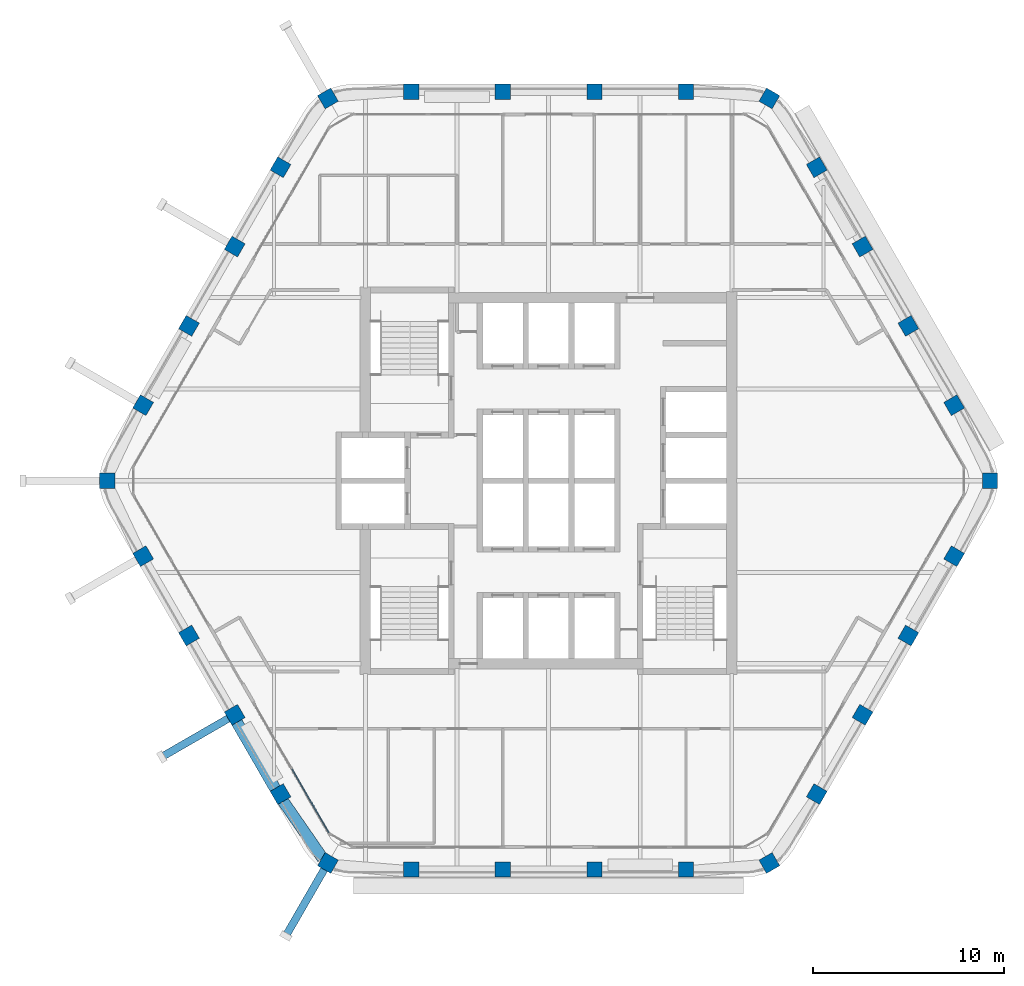
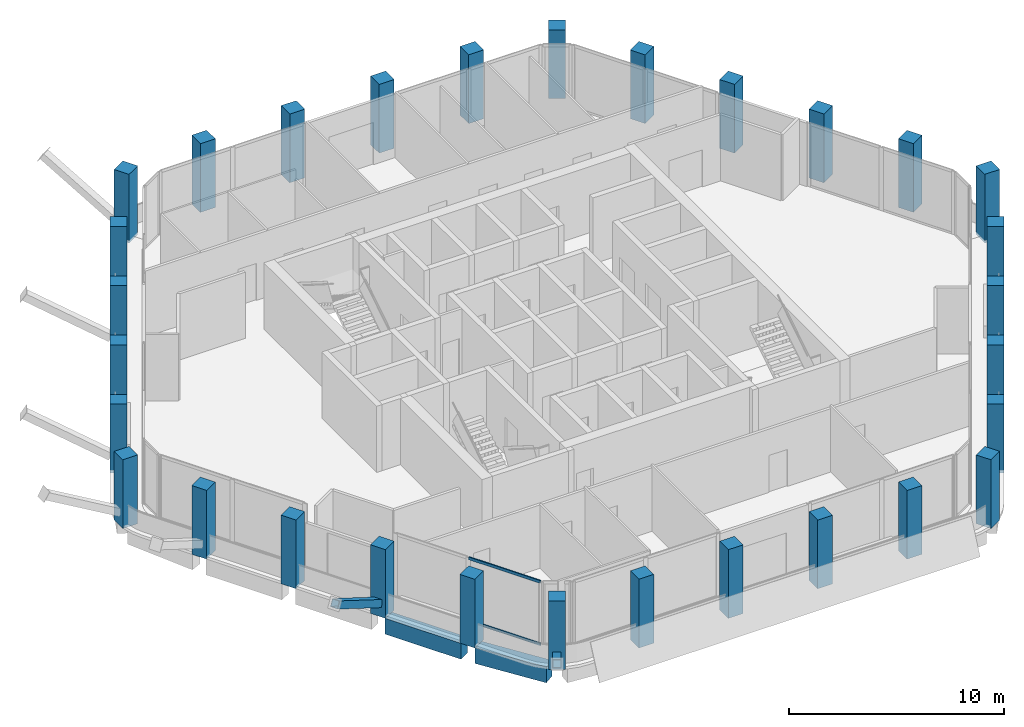
# One storey, part 1 of 14: 30 columns, 4 members, 2 beams, 1 element without a shape of its own.
"""IFC4 building model written with IfcOpenShell, lengths in metres."""

from ifc_helpers import new_model, si_unit, direction, frame, origin, origin_2d, place, context, subcontext, project, spatial, rectangle, hollow_rectangle, extrude, material, material_profile, profile_set, type_object, element, aggregate, save


model = new_model("IFC4")

# Units and contexts
model_context = context("Model", 3, precision=1e-05, world=origin(), true_north=direction((0.0, 1.0)))
body_context = subcontext(model_context, "Body", "Model", "MODEL_VIEW")
ifc_project = project(units=[si_unit("LENGTHUNIT", "METRE"), si_unit("AREAUNIT", "SQUARE_METRE"), si_unit("VOLUMEUNIT", "CUBIC_METRE"), si_unit("PLANEANGLEUNIT", "RADIAN"), si_unit("MASSUNIT", "GRAM", prefix="KILO")], contexts=[model_context])

# Site, building, storey
site_placement = place(None, origin())
site = spatial("IfcSite", under=ifc_project, at=site_placement, CompositionType="ELEMENT")
building_placement = place(site_placement, origin())
building = spatial("IfcBuilding", under=site, at=building_placement, Name="Kolab Exchange Tower", CompositionType="ELEMENT")
storey_placement = place(building_placement, frame((0.0, 0.0, 234.5)))
storey = spatial("IfcBuildingStorey", under=building, at=storey_placement, Name="L51", CompositionType="ELEMENT", Elevation=234.5)

# Columns
ifc_material_1 = material(Name="Concrete C50/60", Category="concrete")
ifc_material_profile_1 = material_profile(ifc_material_1, rectangle(XDim=0.800048828125, YDim=0.800048828125, at=origin_2d()), Name="RC800")
ifc_profile_set_1 = profile_set([ifc_material_profile_1], Name="Concrete C50/60")
column_type = type_object("IfcColumnType", Name="PERIMETER COLUMN 800 SQ C50/60", PredefinedType="COLUMN", material=ifc_profile_set_1)
for number, where, z_axis, x_axis, name in (
    (1, (-11.56787109375, 20.036376953125, -0.14990234375), (0.0, 0.0, 1.0), (0.866025403784, 0.5, 0.0), "col/L51/F1-01"),
    (2, (-7.199951171875, 20.384521484375, -0.14990234375), (0.0, 0.0, 1.0), (1.0, 0.0, 0.0), "col/L51/F1-02"),
    (3, (-2.39990234375, 20.384521484375, -0.14990234375), (0.0, 0.0, 1.0), (1.0, 0.0, 0.0), "col/L51/F1-03"),
    (4, (2.39990234375, 20.384521484375, -0.14990234375), (0.0, 0.0, 1.0), (1.0, 0.0, 0.0), "col/L51/F1-04"),
    (5, (7.199951171875, 20.384521484375, -0.14990234375), (0.0, 0.0, 1.0), (1.0, 0.0, 0.0), "col/L51/F1-05"),
    (6, (11.56787109375, 20.036376953125, -0.14990234375), (0.0, 0.0, 1.0), (0.5, 0.866025403784, 0.0), "col/L51/F2-01"),
    (7, (14.0537109375, 16.427734375, -0.14990234375), (0.0, 0.0, 1.0), (0.866025403784, 0.5, 0.0), "col/L51/F2-02"),
    (8, (16.45361328125, 12.270751953125, -0.14990234375), (0.0, 0.0, 1.0), (0.866025403784, 0.5, 0.0), "col/L51/F2-03"),
    (9, (18.853515625, 8.11376953125, -0.14990234375), (0.0, 0.0, 1.0), (0.866025403784, 0.5, 0.0), "col/L51/F2-04"),
    (10, (21.253662109375, 3.95703125, -0.14990234375), (0.0, 0.0, 1.0), (0.866025403784, 0.5, 0.0), "col/L51/F2-05"),
    (11, (23.135986328125, 0.0, -0.14990234375), (0.0, 0.0, 1.0), (1.0, 0.0, 0.0), "col/L51/F3-01"),
    (12, (21.253662109375, -3.95703125, -0.14990234375), (0.0, 0.0, 1.0), (0.5, 0.866025403784, 0.0), "col/L51/F3-02"),
    (13, (18.853515625, -8.11376953125, -0.14990234375), (0.0, 0.0, 1.0), (0.5, 0.866025403784, 0.0), "col/L51/F3-03"),
    (14, (16.45361328125, -12.270751953125, -0.14990234375), (0.0, 0.0, 1.0), (0.5, 0.866025403784, 0.0), "col/L51/F3-04"),
    (15, (14.0537109375, -16.427734375, -0.14990234375), (0.0, 0.0, 1.0), (0.5, 0.866025403784, 0.0), "col/L51/F3-05"),
    (16, (11.56787109375, -20.036376953125, -0.14990234375), (0.0, 0.0, 1.0), (0.866025403784, 0.5, 0.0), "col/L51/F4-01"),
    (17, (7.199951171875, -20.384521484375, -0.14990234375), (0.0, 0.0, 1.0), (1.0, 0.0, 0.0), "col/L51/F4-02"),
    (18, (2.39990234375, -20.384521484375, -0.14990234375), (0.0, 0.0, 1.0), (1.0, 0.0, 0.0), "col/L51/F4-03"),
    (19, (-2.39990234375, -20.384521484375, -0.14990234375), (0.0, 0.0, 1.0), (1.0, 0.0, 0.0), "col/L51/F4-04"),
    (20, (-7.199951171875, -20.384521484375, -0.14990234375), (0.0, 0.0, 1.0), (1.0, 0.0, 0.0), "col/L51/F4-05"),
    (21, (-11.56787109375, -20.036376953125, -0.14990234375), (0.0, 0.0, 1.0), (0.5, 0.866025403784, 0.0), "col/L51/F5-01"),
    (22, (-14.0537109375, -16.427734375, -0.14990234375), (0.0, 0.0, 1.0), (0.866025403784, 0.5, 0.0), "col/L51/F5-02"),
    (23, (-16.45361328125, -12.270751953125, -0.14990234375), (0.0, 0.0, 1.0), (0.866025403784, 0.5, 0.0), "col/L51/F5-03"),
    (24, (-18.853515625, -8.11376953125, -0.14990234375), (0.0, 0.0, 1.0), (0.866025403784, 0.5, 0.0), "col/L51/F5-04"),
    (25, (-21.253662109375, -3.95703125, -0.14990234375), (0.0, 0.0, 1.0), (0.866025403784, 0.5, 0.0), "col/L51/F5-05"),
    (26, (-23.135986328125, 0.0, -0.14990234375), (0.0, 0.0, 1.0), (1.0, 0.0, 0.0), "col/L51/F6-01"),
    (27, (-21.253662109375, 3.95703125, -0.14990234375), (0.0, 0.0, 1.0), (0.5, 0.866025403784, 0.0), "col/L51/F6-02"),
    (28, (-18.853515625, 8.11376953125, -0.14990234375), (0.0, 0.0, 1.0), (0.5, 0.866025403784, 0.0), "col/L51/F6-03"),
    (29, (-16.45361328125, 12.270751953125, -0.14990234375), (0.0, 0.0, 1.0), (0.5, 0.866025403784, 0.0), "col/L51/F6-04"),
    (30, (-14.0537109375, 16.427734375, -0.14990234375), (0.0, 0.0, 1.0), (0.5, 0.866025403784, 0.0), "col/L51/F6-05"),
):
    element("IfcColumn", number, at=place(storey_placement, frame(where, z_axis=z_axis, x_axis=x_axis)), inside=storey, type_object=column_type, Name=name, PredefinedType="COLUMN", context=body_context, shape_type="SweptSolid", body=[
        extrude(rectangle(XDim=0.800048828125, YDim=0.800048828125, at=origin_2d()), origin(), (0.0, 0.0, 1.0), 3.89990234375),
    ])

# Members
ifc_material_2 = material(Name="Steel S355", Category="steel")
ifc_material_profile_2 = material_profile(ifc_material_2, hollow_rectangle(XDim=0.39990234375, YDim=0.39990234375, WallThickness=0.02001953125, at=origin_2d()), Name="HSS400X400X20")
ifc_profile_set_2 = profile_set([ifc_material_profile_2], Name="Steel S355")
member_type_1 = type_object("IfcMemberType", Name="LEDGE STRUT HSS400X400X20", PredefinedType="STRUT", material=ifc_profile_set_2)
for number, where, z_axis, x_axis, name in (
    (31, (-11.747802734375, -20.347900390625, 0.60009765625), (-0.431366436313, -0.74714919009, 0.505659060406), (0.866025579307, -0.499999695987, 0.0), "mem/L51/ledge/strut-0"),
    (32, (-16.765380859375, -12.45068359375, 0.60009765625), (-0.74714919009, -0.431366436313, 0.505659060406), (0.499999695987, -0.866025579307, 0.0), "mem/L51/ledge/strut-1"),
):
    element("IfcMember", number, at=place(storey_placement, frame(where, z_axis=z_axis, x_axis=x_axis)), inside=storey, type_object=member_type_1, Name=name, PredefinedType="STRUT", context=body_context, shape_type="SweptSolid", body=[
        extrude(hollow_rectangle(XDim=0.39990234375, YDim=0.39990234375, WallThickness=0.02001953125, at=origin_2d()), origin(), (0.0, 0.0, 1.0), 4.682861328125),
    ])

# Beams
ifc_material_profile_3 = material_profile(ifc_material_1, rectangle(XDim=0.60009765625, YDim=0.89990234375, at=origin_2d()), Name="RC600X900")
ifc_profile_set_3 = profile_set([ifc_material_profile_3], Name="Concrete C50/60")
beam_type = type_object("IfcBeamType", Name="SPANDREL BEAM 600X900 C50/60", PredefinedType="BEAM", material=ifc_profile_set_3)
beam_1_placement = place(storey_placement, frame((-11.846923828125, -19.7919921875, -0.60009765625), z_axis=(-0.569005808573, 0.822333502789, 0.0), x_axis=(-0.822333502789, -0.569005808573, 0.0)))
element("IfcBeam", 33, at=beam_1_placement, inside=storey, type_object=beam_type, Name="beam/L51/sp/F5-01", PredefinedType="BEAM", context=body_context, shape_type="SweptSolid", body=[
    extrude(rectangle(XDim=0.60009765625, YDim=0.89990234375, at=origin_2d()), origin(), (0.0, 0.0, 1.0), 3.6689453125),
])
beam_2_placement = place(storey_placement, frame((-14.3203125, -16.166015625, -0.60009765625), z_axis=(-0.499955548806, 0.866051066172, 0.0), x_axis=(-0.866051066172, -0.499955548806, 0.0)))
element("IfcBeam", 34, at=beam_2_placement, inside=storey, type_object=beam_type, Name="beam/L51/sp/F5-02", PredefinedType="BEAM", context=body_context, shape_type="SweptSolid", body=[
    extrude(rectangle(XDim=0.60009765625, YDim=0.89990234375, at=origin_2d()), origin(), (0.0, 0.0, 1.0), 4.079833984375),
])

# Curtain wall, members
ifc_material_3 = material(Name="Aluminium EN AW-6063 T6", Category="aluminium")
curtain_wall_type = type_object("IfcCurtainWallType", Name="UNITISED HIGH ZONE CURTAIN WALL", PredefinedType="NOTDEFINED", material=ifc_material_3)
curtain_wall_placement = place(storey_placement, origin())
curtain_wall = element("IfcCurtainWall", 35, at=curtain_wall_placement, inside=storey, type_object=curtain_wall_type, Name="cw/L51/F5-1", PredefinedType="NOTDEFINED")
ifc_material_profile_4 = material_profile(ifc_material_3, rectangle(XDim=0.06005859375, YDim=0.159912109375, at=origin_2d()), Name="RECT 60X160")
ifc_profile_set_4 = profile_set([ifc_material_profile_4], Name="Aluminium EN AW-6063 T6")
member_type_2 = type_object("IfcMemberType", Name="UNITISED HIGH ZONE TRANSOM 60 X 160", PredefinedType="USERDEFINED", material=ifc_profile_set_4)
member_1_placement = place(storey_placement, frame((-11.527587890625, -18.442626953125, 0.030029296875), z_axis=(-0.500039492609, 0.866002601515, 0.0), x_axis=(-0.866002601515, -0.500039492609, 0.0)))
member_1 = element("IfcMember", 36, at=member_1_placement, type_object=member_type_2, Name="CW4 transom 1.1", ObjectType="TRANSOM", PredefinedType="USERDEFINED", context=body_context, shape_type="SweptSolid", body=[
    extrude(rectangle(XDim=0.06005859375, YDim=0.159912109375, at=origin_2d()), origin(), (0.0, 0.0, 1.0), 3.843994140625),
])
member_2_placement = place(storey_placement, frame((-11.527587890625, -18.442626953125, 3.570068359375), z_axis=(-0.500039492609, 0.866002601515, 0.0), x_axis=(-0.866002601515, -0.500039492609, 0.0)))
member_2 = element("IfcMember", 37, at=member_2_placement, type_object=member_type_2, Name="CW4 transom 1.2", ObjectType="TRANSOM", PredefinedType="USERDEFINED", context=body_context, shape_type="SweptSolid", body=[
    extrude(rectangle(XDim=0.06005859375, YDim=0.159912109375, at=origin_2d()), origin(), (0.0, 0.0, 1.0), 3.843994140625),
])
aggregate(curtain_wall, [member_1, member_2])

save(model, "model.ifc")
